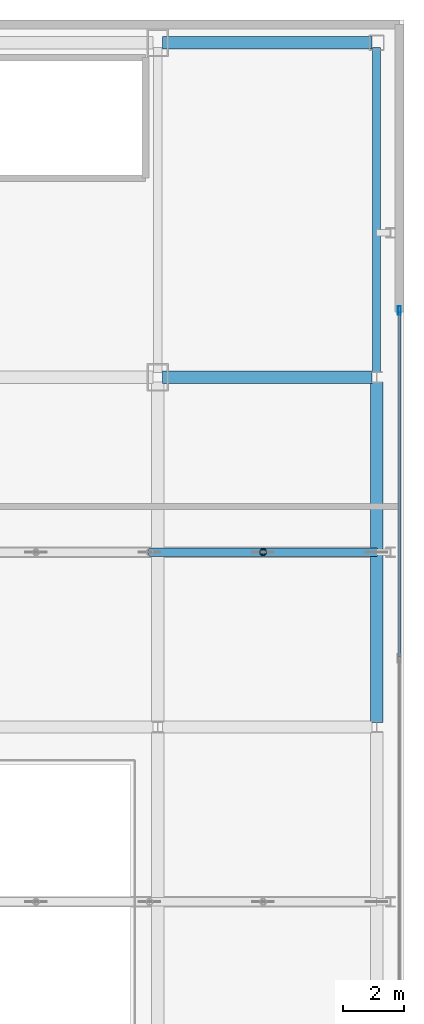
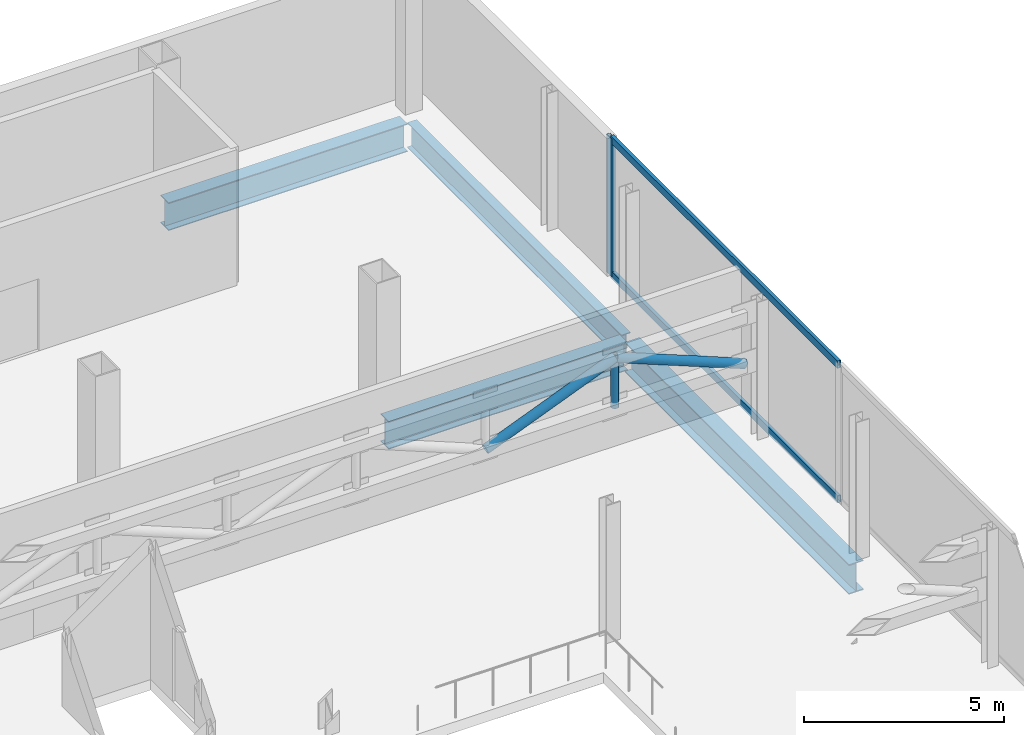
# One storey, part 19 of 28: 6 members, 4 beams, 1 element without a shape of its own.
"""IFC4 building model written with IfcOpenShell, lengths in metres."""

from ifc_helpers import new_model, si_unit, direction, frame, origin, origin_2d, place, context, subcontext, project, spatial, hollow_rectangle, hollow_circle, i_section, extrude, source, transform, mapped, material, layer, layer_set, material_profile, profile_set, type_object, element, aggregate, save


model = new_model("IFC4")

# Units and contexts
model_context = context("Model", 3, precision=1e-05, world=origin(), true_north=direction((0.0, 1.0)))
body_context = subcontext(model_context, "Body", "Model", "MODEL_VIEW")
ifc_project = project(units=[si_unit("LENGTHUNIT", "METRE"), si_unit("AREAUNIT", "SQUARE_METRE"), si_unit("VOLUMEUNIT", "CUBIC_METRE"), si_unit("PLANEANGLEUNIT", "RADIAN"), si_unit("MASSUNIT", "GRAM", prefix="KILO")], contexts=[model_context])

# Site, building, storey
site_placement = place(None, origin())
site = spatial("IfcSite", under=ifc_project, at=site_placement, CompositionType="ELEMENT")
building_placement = place(site_placement, origin())
building = spatial("IfcBuilding", under=site, at=building_placement, Name="Kolveth Station Tower", CompositionType="ELEMENT")
storey_placement = place(building_placement, frame((0.0, 0.0, 18.0)))
storey = spatial("IfcBuildingStorey", under=building, at=storey_placement, Name="L04", CompositionType="ELEMENT", Elevation=18.0)

# Beams
ifc_material_1 = material(Name="Steel S355", Category="steel")
ifc_material_profile_1 = material_profile(ifc_material_1, i_section(OverallWidth=0.40087890625, OverallDepth=0.85107421875, WebThickness=0.01611328125, FlangeThickness=0.025390625, at=origin_2d()), Name="W840x226")
ifc_profile_set_1 = profile_set([ifc_material_profile_1], Name="Steel S355")
beam_type_1 = type_object("IfcBeamType", Name="Beam_B2", PredefinedType="BEAM", material=ifc_profile_set_1)
shared_shape_1 = source(origin(), body_context, "Body", "SweptSolid", [
    extrude(i_section(OverallWidth=0.40087890625, OverallDepth=0.85107421875, WebThickness=0.01611328125, FlangeThickness=0.025390625, at=origin_2d()), origin(), (0.0, 0.0, 1.0), 6.900146484375),
])
for number, where, z_axis, x_axis, name in (
    (1, (63.64990234375, 28.75, -0.74560546875), (1.0, 0.0, 0.0), (0.0, 1.0, 0.0), "L04 Station Portal Girder SBM-L04-EW-5-3"),
    (2, (63.64990234375, 39.75, -0.74560546875), (1.0, 0.0, 0.0), (0.0, 1.0, 0.0), "L04 Station Portal Girder SBM-L04-EW-6-3"),
):
    element("IfcBeam", number, at=place(storey_placement, frame(where, z_axis=z_axis, x_axis=x_axis)), inside=storey, type_object=beam_type_1, Name=name, PredefinedType="BEAM", context=body_context, shape_type="MappedRepresentation", body=[
        mapped(shared_shape_1, transform((0.0, 0.0, 0.0), x_axis=(1.0, 0.0, 0.0), y_axis=(0.0, 1.0, 0.0), z_axis=(0.0, 0.0, 1.0), scale=1.0)),
    ])
ifc_material_profile_2 = material_profile(ifc_material_1, i_section(OverallWidth=0.41796875, OverallDepth=0.912109375, WebThickness=0.019287109375, FlangeThickness=0.031982421875, at=origin_2d()), Name="W920x342")
ifc_profile_set_2 = profile_set([ifc_material_profile_2], Name="Steel S355")
beam_type_2 = type_object("IfcBeamType", Name="Beam_B1", PredefinedType="BEAM", material=ifc_profile_set_2)
shared_shape_2 = source(origin(), body_context, "Body", "SweptSolid", [
    extrude(i_section(OverallWidth=0.41796875, OverallDepth=0.912109375, WebThickness=0.019287109375, FlangeThickness=0.031982421875, at=origin_2d()), origin(), (0.0, 0.0, 1.0), 11.2001953125),
])
beam_1_placement = place(storey_placement, frame((70.699951171875, 17.39990234375, -0.77587890625), z_axis=(0.0, 1.0, 0.0), x_axis=(-1.0, 0.0, 0.0)))
element("IfcBeam", 3, at=beam_1_placement, inside=storey, type_object=beam_type_2, Name="L04 Station Spine Girder SBM-L04-NS-4-4", PredefinedType="BEAM", context=body_context, shape_type="MappedRepresentation", body=[
    mapped(shared_shape_2, transform((0.0, 0.0, 0.0), x_axis=(1.0, 0.0, 0.0), y_axis=(0.0, 1.0, 0.0), z_axis=(0.0, 0.0, 1.0), scale=1.0)),
])
ifc_material_profile_3 = material_profile(ifc_material_1, i_section(OverallWidth=0.26708984375, OverallDepth=0.76611328125, WebThickness=0.014892578125, FlangeThickness=0.023681640625, at=origin_2d()), Name="W760x185")
ifc_profile_set_3 = profile_set([ifc_material_profile_3], Name="Steel S355")
beam_type_3 = type_object("IfcBeamType", Name="Beam_B3", PredefinedType="BEAM", material=ifc_profile_set_3)
shared_shape_3 = source(origin(), body_context, "Body", "SweptSolid", [
    extrude(i_section(OverallWidth=0.26708984375, OverallDepth=0.76611328125, WebThickness=0.014892578125, FlangeThickness=0.023681640625, at=origin_2d()), origin(), (0.0, 0.0, 1.0), 10.7001953125),
])
beam_2_placement = place(storey_placement, frame((70.699951171875, 28.89990234375, -0.702880859375), z_axis=(0.0, 1.0, 0.0), x_axis=(-1.0, 0.0, 0.0)))
element("IfcBeam", 4, at=beam_2_placement, inside=storey, type_object=beam_type_3, Name="L04 Station Spine Girder SBM-L04-NS-4-5", PredefinedType="BEAM", context=body_context, shape_type="MappedRepresentation", body=[
    mapped(shared_shape_3, transform((0.0, 0.0, 0.0), x_axis=(1.0, 0.0, 0.0), y_axis=(0.0, 1.0, 0.0), z_axis=(0.0, 0.0, 1.0), scale=1.0)),
])

# Members
ifc_material_profile_4 = material_profile(ifc_material_1, hollow_circle(Radius=0.136474609375, WallThickness=0.012451171875, at=origin_2d()), Name="CHS273x12.5")
ifc_profile_set_4 = profile_set([ifc_material_profile_4], Name="Steel S355")
member_type_1 = type_object("IfcMemberType", Name="Mem_BR5", PredefinedType="BRACE", material=ifc_profile_set_4)
shared_shape_4 = source(origin(), body_context, "Body", "SweptSolid", [
    extrude(hollow_circle(Radius=0.136474609375, WallThickness=0.012451171875, at=origin_2d()), origin(), (0.0, 0.0, 1.0), 4.0234375),
])
member_1_placement = place(storey_placement, frame((66.966552734375, 23.0, 3.85009765625), z_axis=(0.927906471561, 0.0, -0.372813063123), x_axis=(0.0, 1.0, 0.0)))
element("IfcMember", 5, at=member_1_placement, inside=storey, type_object=member_type_1, Name="Station Roof Truss 3 Diagonal 6", PredefinedType="BRACE", context=body_context, shape_type="MappedRepresentation", body=[
    mapped(shared_shape_4, transform((0.0, 0.0, 0.0), x_axis=(1.0, 0.0, 0.0), y_axis=(0.0, 1.0, 0.0), z_axis=(0.0, 0.0, 1.0), scale=1.0)),
])
shared_shape_5 = source(origin(), body_context, "Body", "SweptSolid", [
    extrude(hollow_circle(Radius=0.136474609375, WallThickness=0.012451171875, at=origin_2d()), origin(), (0.0, 0.0, 1.0), 4.023193359375),
])
member_2_placement = place(storey_placement, frame((63.2333984375, 23.0, 2.35009765625), z_axis=(0.927898037071, 0.0, 0.372834055311), x_axis=(0.0, 1.0, 0.0)))
element("IfcMember", 6, at=member_2_placement, inside=storey, type_object=member_type_1, Name="Station Roof Truss 3 Diagonal 5", PredefinedType="BRACE", context=body_context, shape_type="MappedRepresentation", body=[
    mapped(shared_shape_5, transform((0.0, 0.0, 0.0), x_axis=(1.0, 0.0, 0.0), y_axis=(0.0, 1.0, 0.0), z_axis=(0.0, 0.0, 1.0), scale=1.0)),
])
ifc_material_profile_5 = material_profile(ifc_material_1, hollow_circle(Radius=0.109619140625, WallThickness=0.010009765625, at=origin_2d()), Name="CHS219x10")
ifc_profile_set_5 = profile_set([ifc_material_profile_5], Name="Steel S355")
member_type_2 = type_object("IfcMemberType", Name="Mem_ST-R1", PredefinedType="STRUT", material=ifc_profile_set_5)
shared_shape_6 = source(origin(), body_context, "Body", "SweptSolid", [
    extrude(hollow_circle(Radius=0.109619140625, WallThickness=0.010009765625, at=origin_2d()), origin(), (0.0, 0.0, 1.0), 1.5),
])
member_3_placement = place(storey_placement, frame((66.966552734375, 23.0, 2.35009765625), z_axis=(0.0, 0.0, 1.0), x_axis=(1.0, 0.0, 0.0)))
element("IfcMember", 7, at=member_3_placement, inside=storey, type_object=member_type_2, Name="Station Roof Truss 3 Strut 5", PredefinedType="STRUT", context=body_context, shape_type="MappedRepresentation", body=[
    mapped(shared_shape_6, transform((0.0, 0.0, 0.0), x_axis=(1.0, 0.0, 0.0), y_axis=(0.0, 1.0, 0.0), z_axis=(0.0, 0.0, 1.0), scale=1.0)),
])

# Curtain wall, members
ifc_material_2 = material(Name="Black anodized aluminium 6063-T6 and clear station glass", Category="aluminium")
ifc_layer = layer(ifc_material_2, 0.239990234375)
ifc_layer_set = layer_set([ifc_layer], Name="Black anodized aluminium 6063-T6 and clear station glass")
curtain_wall_type = type_object("IfcCurtainWallType", Name="CurtainWall_CW-ST", PredefinedType="NOTDEFINED", material=ifc_layer_set)
curtain_wall_placement = place(storey_placement, origin())
curtain_wall = element("IfcCurtainWall", 8, at=curtain_wall_placement, inside=storey, type_object=curtain_wall_type, Name="L04 Station East Main Hall Curtain Wall", PredefinedType="NOTDEFINED")
ifc_material_3 = material(Name="Black anodized aluminium 6063-T6", Category="aluminium")
ifc_material_profile_6 = material_profile(ifc_material_3, hollow_rectangle(XDim=0.094970703125, YDim=0.219970703125, WallThickness=0.0048828125, at=origin_2d()), Name="ALU-95x220x5")
ifc_profile_set_6 = profile_set([ifc_material_profile_6], Name="Black anodized aluminium 6063-T6")
member_type_3 = type_object("IfcMemberType", Name="Transom_TR-ST", PredefinedType="USERDEFINED", material=ifc_profile_set_6)
shared_shape_7 = source(origin(), body_context, "Body", "SweptSolid", [
    extrude(hollow_rectangle(XDim=0.094970703125, YDim=0.219970703125, WallThickness=0.0048828125, at=origin_2d()), origin(), (0.0, 0.0, 1.0), 11.349853515625),
])
member_4_placement = place(storey_placement, frame((71.449951171875, 19.550048828125, 0.047607421875), z_axis=(0.0, 1.0, 0.0), x_axis=(-1.0, 0.0, 0.0)))
member_4 = element("IfcMember", 9, at=member_4_placement, type_object=member_type_3, Name="CW-ST transom 2.1", ObjectType="TRANSOM", PredefinedType="USERDEFINED", context=body_context, shape_type="MappedRepresentation", body=[
    mapped(shared_shape_7, transform((0.0, 0.0, 0.0), x_axis=(1.0, 0.0, 0.0), y_axis=(0.0, 1.0, 0.0), z_axis=(0.0, 0.0, 1.0), scale=1.0)),
])
member_5_placement = place(storey_placement, frame((71.449951171875, 19.550048828125, 4.152587890625), z_axis=(0.0, 1.0, 0.0), x_axis=(-1.0, 0.0, 0.0)))
member_5 = element("IfcMember", 10, at=member_5_placement, type_object=member_type_3, Name="CW-ST transom 2.2", ObjectType="TRANSOM", PredefinedType="USERDEFINED", context=body_context, shape_type="MappedRepresentation", body=[
    mapped(shared_shape_7, transform((0.0, 0.0, 0.0), x_axis=(1.0, 0.0, 0.0), y_axis=(0.0, 1.0, 0.0), z_axis=(0.0, 0.0, 1.0), scale=1.0)),
])
ifc_material_profile_7 = material_profile(ifc_material_3, hollow_rectangle(XDim=0.10009765625, YDim=0.280029296875, WallThickness=0.0048828125, at=origin_2d()), Name="ALU-100x280x5")
ifc_profile_set_7 = profile_set([ifc_material_profile_7], Name="Black anodized aluminium 6063-T6")
member_type_4 = type_object("IfcMemberType", Name="Mullion_ML-ST", PredefinedType="MULLION", material=ifc_profile_set_7)
shared_shape_8 = source(origin(), body_context, "Body", "SweptSolid", [
    extrude(hollow_rectangle(XDim=0.10009765625, YDim=0.280029296875, WallThickness=0.0048828125, at=origin_2d()), origin(), (0.0, 0.0, 1.0), 4.199951171875),
])
member_6_placement = place(storey_placement, frame((71.449951171875, 30.949951171875, 0.0), z_axis=(0.0, 0.0, 1.0), x_axis=(-1.0, 0.0, 0.0)))
member_6 = element("IfcMember", 11, at=member_6_placement, type_object=member_type_4, Name="CW-ST mullion 3", PredefinedType="MULLION", context=body_context, shape_type="MappedRepresentation", body=[
    mapped(shared_shape_8, transform((0.0, 0.0, 0.0), x_axis=(1.0, 0.0, 0.0), y_axis=(0.0, 1.0, 0.0), z_axis=(0.0, 0.0, 1.0), scale=1.0)),
])
aggregate(curtain_wall, [member_6, member_4, member_5])

save(model, "model.ifc")
